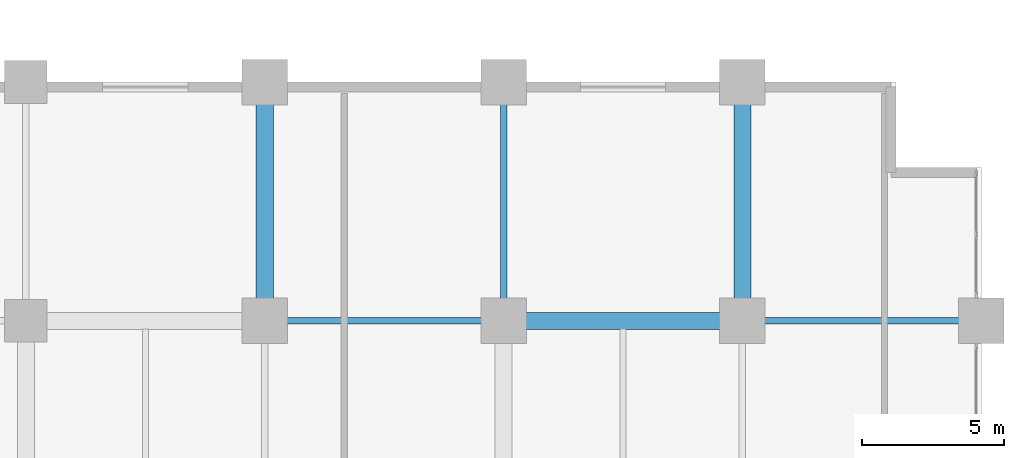
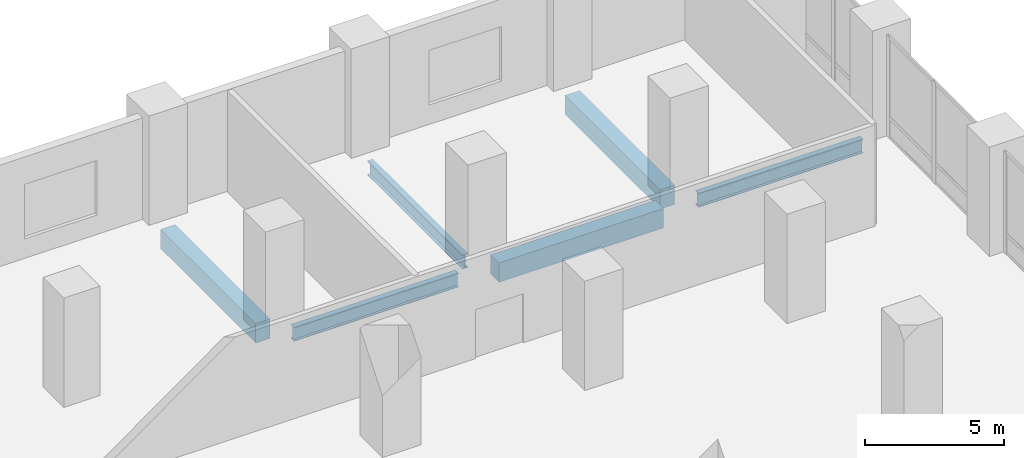
# One storey, part 6 of 22: 6 beams.
"""IFC4 building model written with IfcOpenShell, lengths in metres."""

from ifc_helpers import new_model, si_unit, direction, frame, origin, origin_2d, place, context, subcontext, project, spatial, rectangle, i_section, extrude, material, material_profile, profile_set, type_object, element, save


model = new_model("IFC4")

# Units and contexts
model_context = context("Model", 3, precision=1e-05, world=origin(), true_north=direction((0.0, 1.0)))
body_context = subcontext(model_context, "Body", "Model", "MODEL_VIEW")
ifc_project = project(units=[si_unit("LENGTHUNIT", "METRE"), si_unit("AREAUNIT", "SQUARE_METRE"), si_unit("VOLUMEUNIT", "CUBIC_METRE"), si_unit("PLANEANGLEUNIT", "RADIAN"), si_unit("MASSUNIT", "GRAM", prefix="KILO")], contexts=[model_context])

# Site, building, storey
site_placement = place(None, origin())
site = spatial("IfcSite", under=ifc_project, at=site_placement, CompositionType="ELEMENT")
building_placement = place(site_placement, origin())
building = spatial("IfcBuilding", under=site, at=building_placement, Name="Koriwani Terraces Tower", CompositionType="ELEMENT")
storey_placement = place(building_placement, frame((0.0, 0.0, 10.800048828125)))
storey = spatial("IfcBuildingStorey", under=building, at=storey_placement, Name="L02", CompositionType="ELEMENT", Elevation=10.800048828125)

# Beams
ifc_material_1 = material(Name="Concrete C60/75", Category="concrete")
ifc_material_profile_1 = material_profile(ifc_material_1, rectangle(XDim=0.60009765625, YDim=0.85009765625, at=origin_2d()), Name="Concrete C60/75", Category="LoadBearing")
ifc_profile_set_1 = profile_set([ifc_material_profile_1], Name="Concrete C60/75")
beam_type_1 = type_object("IfcBeamType", Name="BEAM_RC_GRID_600X850", PredefinedType="BEAM", material=ifc_profile_set_1)
for number, where, z_axis, x_axis, name in (
    (1, (76.3798828125, 33.60009765625, -0.775146484375), (1.0, 0.0, 0.0), (0.0, 1.0, 0.0), "L02 Grid Beam E (75.6-84.0m)"),
    (2, (67.199951171875, 34.3798828125, -0.775146484375), (0.0, 1.0, 0.0), (-1.0, 0.0, 0.0), "L02 Grid Beam 9 (33.6-42.0m)"),
    (3, (84.0, 34.3798828125, -0.775146484375), (0.0, 1.0, 0.0), (-1.0, 0.0, 0.0), "L02 Grid Beam 11 (33.6-42.0m)"),
):
    element("IfcBeam", number, at=place(storey_placement, frame(where, z_axis=z_axis, x_axis=x_axis)), inside=storey, type_object=beam_type_1, Name=name, PredefinedType="BEAM", context=body_context, shape_type="SweptSolid", body=[
        extrude(rectangle(XDim=0.60009765625, YDim=0.85009765625, at=origin_2d()), origin(), (0.0, 0.0, 1.0), 6.840087890625),
    ])
ifc_material_2 = material(Name="Steel ASTM A572 Grade 50", Category="steel")
ifc_material_profile_2 = material_profile(ifc_material_2, i_section(OverallWidth=0.23095703125, OverallDepth=0.616943359375, WebThickness=0.015380859375, FlangeThickness=0.0244140625, at=origin_2d()), Name="Steel ASTM A572 Grade 50", Category="LoadBearing")
ifc_profile_set_2 = profile_set([ifc_material_profile_2], Name="Steel ASTM A572 Grade 50")
beam_type_2 = type_object("IfcBeamType", Name="STEEL_BEAM_W610X195", PredefinedType="BEAM", material=ifc_profile_set_2)
for number, where, z_axis, x_axis, name in (
    (4, (67.97998046875, 33.60009765625, -0.658447265625), (1.0, 0.0, 0.0), (0.0, 1.0, 0.0), "L02 Grid Beam E (67.2-75.6m)"),
    (5, (84.780029296875, 33.60009765625, -0.658447265625), (1.0, 0.0, 0.0), (0.0, 1.0, 0.0), "L02 Grid Beam E (84.0-92.4m)"),
    (6, (75.60009765625, 34.3798828125, -0.658447265625), (0.0, 1.0, 0.0), (-1.0, 0.0, 0.0), "L02 Grid Beam 10 (33.6-42.0m)"),
):
    element("IfcBeam", number, at=place(storey_placement, frame(where, z_axis=z_axis, x_axis=x_axis)), inside=storey, type_object=beam_type_2, Name=name, PredefinedType="BEAM", context=body_context, shape_type="SweptSolid", body=[
        extrude(i_section(OverallWidth=0.23095703125, OverallDepth=0.616943359375, WebThickness=0.015380859375, FlangeThickness=0.0244140625, at=origin_2d()), origin(), (0.0, 0.0, 1.0), 6.840087890625),
    ])

save(model, "model.ifc")
